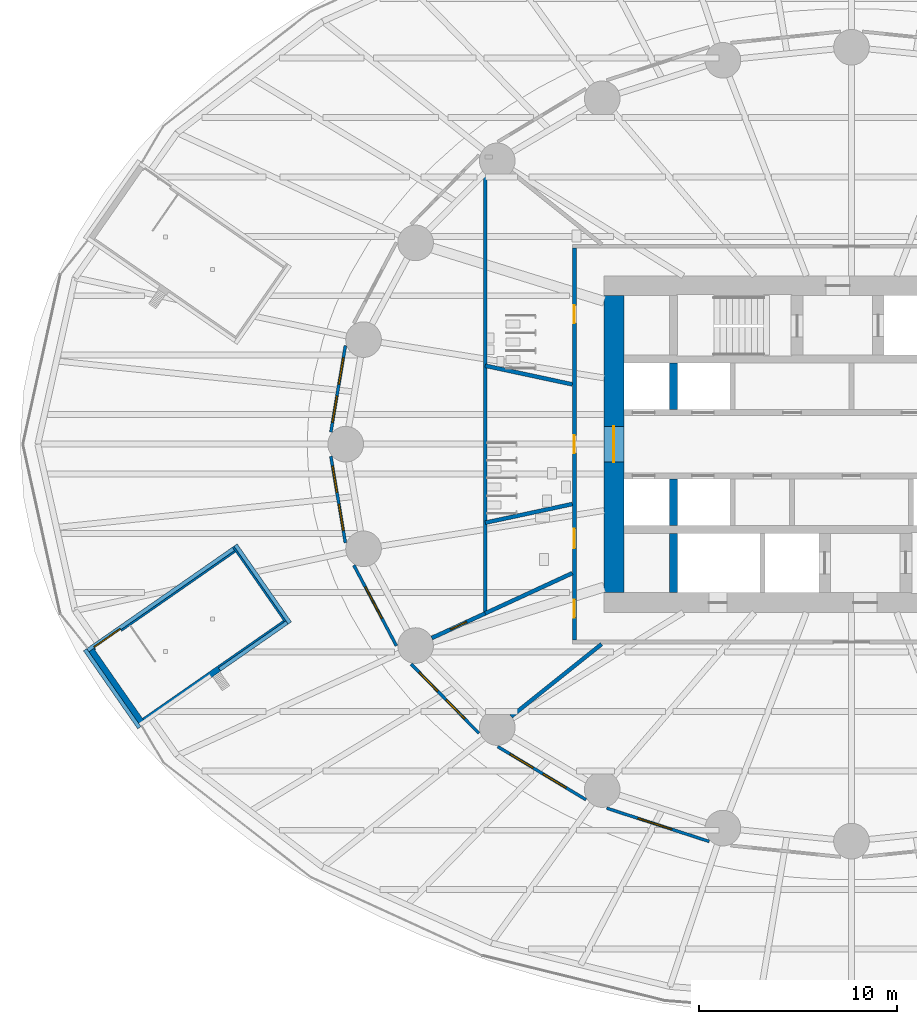
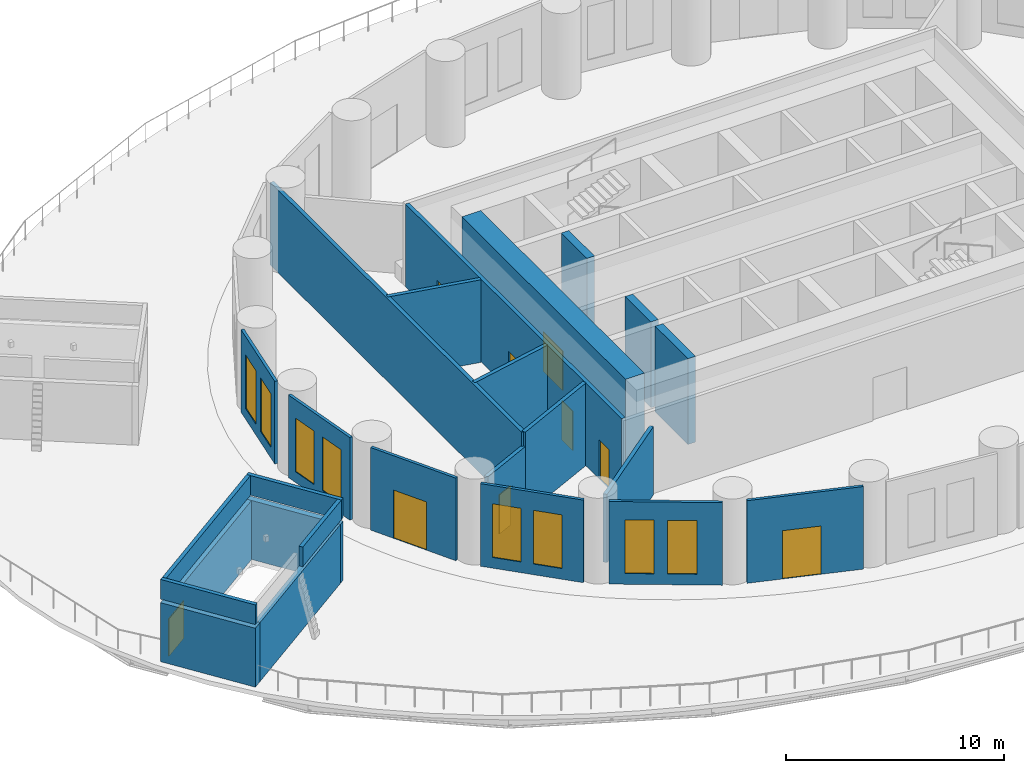
# One storey, part 7 of 17: 25 walls, 9 doors, 8 windows, 17 openings.
"""IFC4 building model written with IfcOpenShell, lengths in metres."""

from ifc_helpers import new_model, si_unit, direction, frame, frame_2d, origin, place, context, subcontext, project, spatial, rectangle, extrude, material, layer, layer_set, type_object, element, fill, save


model = new_model("IFC4")

# Units and contexts
model_context = context("Model", 3, precision=1e-05, world=origin(), true_north=direction((0.0, 1.0)))
body_context = subcontext(model_context, "Body", "Model", "MODEL_VIEW")
ifc_project = project(units=[si_unit("LENGTHUNIT", "METRE"), si_unit("AREAUNIT", "SQUARE_METRE"), si_unit("VOLUMEUNIT", "CUBIC_METRE"), si_unit("PLANEANGLEUNIT", "RADIAN"), si_unit("MASSUNIT", "GRAM", prefix="KILO")], contexts=[model_context])

# Site, building, storey
site_placement = place(None, origin())
site = spatial("IfcSite", under=ifc_project, at=site_placement, CompositionType="ELEMENT")
building_placement = place(site_placement, origin())
building = spatial("IfcBuilding", under=site, at=building_placement, Name="Hankou Lantern Tower", CompositionType="ELEMENT")
storey_placement = place(building_placement, frame((0.0, 0.0, 24.60009765625)))
storey = spatial("IfcBuildingStorey", under=building, at=storey_placement, Name="L04", CompositionType="ELEMENT", Elevation=24.60009765625)

# Wall, opening, door
ifc_material_1 = material(Name="Concrete C60", Category="concrete")
ifc_layer_1 = layer(ifc_material_1, 1.0)
ifc_layer_set_1 = layer_set([ifc_layer_1], Name="Concrete C60")
wall_type_1 = type_object("IfcWallType", Name="CW1 CORE WALL 1000", PredefinedType="SHEAR", material=ifc_layer_set_1)
wall_1_placement = place(storey_placement, frame((-12.0, 7.5, 0.0), z_axis=(0.0, 0.0, 1.0), x_axis=(0.0, -1.0, 0.0)))
wall_1 = element("IfcWall", 1, at=wall_1_placement, inside=storey, type_object=wall_type_1, Name="Core wall west L04", PredefinedType="SHEAR", context=body_context, shape_type="SweptSolid", body=[
    extrude(rectangle(XDim=15.0, YDim=1.0, at=frame_2d((7.5, 0.0))), origin(), (0.0, 0.0, 1.0), 4.7998046875),
])
opening_1_placement = place(wall_1_placement, frame((6.60009765625, 0.0, 0.0)))
opening_1 = element("IfcOpeningElement", 2, at=opening_1_placement, cuts=wall_1, Name="Opening D6", PredefinedType="OPENING", context=body_context, shape_type="SweptSolid", body=[
    extrude(rectangle(XDim=1.800048828125, YDim=2.199951171875, at=frame_2d((0.89990234375, 1.10009765625))), frame((0.0, 0.510009765625, 0.0), z_axis=(0.0, -1.0, 0.0), x_axis=(1.0, 0.0, 0.0)), (0.0, 0.0, 1.0), 1.02001953125),
])
ifc_material_2 = material(Name="Steel door leaf", Category="steel")
door_type_1 = type_object("IfcDoorType", Name="D6 LIFT LOBBY DOOR 1800X2200", OperationType="DOUBLE_DOOR_DOUBLE_SWING", PredefinedType="DOOR", material=ifc_material_2)
door_1_placement = place(opening_1_placement, origin())
door_1 = element("IfcDoor", 3, at=door_1_placement, inside=storey, type_object=door_type_1, Name="Lift lobby west door", OperationType="DOUBLE_DOOR_DOUBLE_SWING", OverallHeight=2.199951171875, OverallWidth=1.800048828125, PredefinedType="DOOR", context=body_context, shape_type="SweptSolid", body=[
    extrude(rectangle(XDim=1.800048828125, YDim=2.199951171875, at=frame_2d((0.89990234375, 1.10009765625))), frame((0.0, 0.02490234375, 0.0), z_axis=(0.0, -1.0, 0.0), x_axis=(1.0, 0.0, 0.0)), (0.0, 0.0, 1.0), 0.050048828125),
])
fill(opening_1, door_1)

# Walls
ifc_material_3 = material(Name="Concrete C60", Category="concrete")
ifc_layer_2 = layer(ifc_material_3, 0.39990234375)
ifc_layer_set_2 = layer_set([ifc_layer_2], Name="Concrete C60")
wall_type_2 = type_object("IfcWallType", Name="CW4 CORE CROSS WALL 400", PredefinedType="SHEAR", material=ifc_layer_set_2)
for number, where, z_axis, x_axis, name in (
    (4, (-9.0, 1.75, 0.0), (0.0, 0.0, 1.0), (0.0, 1.0, 0.0), "Core strip wall L04"),
    (5, (-9.0, -4.10009765625, 0.0), (0.0, 0.0, 1.0), (0.0, 1.0, 0.0), "Core strip wall L04"),
):
    element("IfcWall", number, at=place(storey_placement, frame(where, z_axis=z_axis, x_axis=x_axis)), inside=storey, type_object=wall_type_2, Name=name, PredefinedType="SHEAR", context=body_context, shape_type="SweptSolid", body=[
        extrude(rectangle(XDim=2.35009765625, YDim=0.39990234375, at=frame_2d((1.175048828125, 0.0))), origin(), (0.0, 0.0, 1.0), 4.7998046875),
    ])
wall_2_placement = place(storey_placement, frame((-9.0, -7.5, 0.0), z_axis=(0.0, 0.0, 1.0), x_axis=(0.0, 1.0, 0.0)))
element("IfcWall", 6, at=wall_2_placement, inside=storey, type_object=wall_type_2, Name="Core strip wall L04", PredefinedType="SHEAR", context=body_context, shape_type="SweptSolid", body=[
    extrude(rectangle(XDim=3.0, YDim=0.39990234375, at=frame_2d((1.5, 0.0))), origin(), (0.0, 0.0, 1.0), 4.7998046875),
])

# Wall, opening, door
ifc_material_4 = material(Name="Concrete C50", Category="concrete")
ifc_layer_3 = layer(ifc_material_4, 0.300048828125)
ifc_layer_set_3 = layer_set([ifc_layer_3], Name="Concrete C50")
wall_type_3 = type_object("IfcWallType", Name="CW7 PODIUM STAIR WALL 300", PredefinedType="SHEAR", material=ifc_layer_set_3)
wall_3_placement = place(storey_placement, frame((-38.29931640625, -10.273681640625, 0.0), z_axis=(0.0, 0.0, 1.0), x_axis=(0.820936803751, 0.571019057692, 0.0)))
wall_3 = element("IfcWall", 7, at=wall_3_placement, inside=storey, type_object=wall_type_3, Name="Podium stair P3 wall", PredefinedType="SHEAR", context=body_context, shape_type="SweptSolid", body=[
    extrude(rectangle(XDim=8.66015625, YDim=0.300048828125, at=frame_2d((4.330078125, 0.0))), origin(), (0.0, 0.0, 1.0), 3.2998046875),
])
opening_2_placement = place(wall_3_placement, frame((0.050048828125, 0.0, 0.0)))
opening_2 = element("IfcOpeningElement", 8, at=opening_2_placement, cuts=wall_3, Name="Opening D16", PredefinedType="OPENING", context=body_context, shape_type="SweptSolid", body=[
    extrude(rectangle(XDim=1.60009765625, YDim=2.10009765625, at=frame_2d((0.800048828125, 1.050048828125))), frame((0.0, 0.159912109375, 0.0), z_axis=(0.0, -1.0, 0.0), x_axis=(1.0, 0.0, 0.0)), (0.0, 0.0, 1.0), 0.320068359375),
])
ifc_material_5 = material(Name="Steel door leaf", Category="steel")
door_type_2 = type_object("IfcDoorType", Name="D16 PODIUM STAIR DOOR 1600X2100", OperationType="SINGLE_SWING_LEFT", PredefinedType="DOOR", material=ifc_material_5)
door_2_placement = place(opening_2_placement, origin())
door_2 = element("IfcDoor", 9, at=door_2_placement, inside=storey, type_object=door_type_2, Name="Podium stair P3 door", OperationType="SINGLE_SWING_LEFT", OverallHeight=2.10009765625, OverallWidth=1.60009765625, PredefinedType="DOOR", context=body_context, shape_type="SweptSolid", body=[
    extrude(rectangle(XDim=1.60009765625, YDim=2.10009765625, at=frame_2d((0.800048828125, 1.050048828125))), frame((0.0, 0.02490234375, 0.0), z_axis=(0.0, -1.0, 0.0), x_axis=(1.0, 0.0, 0.0)), (0.0, 0.0, 1.0), 0.050048828125),
])
fill(opening_2, door_2)

# Walls
wall_4_placement = place(storey_placement, frame((-35.7294921875, -13.968017578125, 0.0), z_axis=(0.0, 0.0, 1.0), x_axis=(0.82092761123, 0.571032273274, 0.0)))
element("IfcWall", 10, at=wall_4_placement, inside=storey, type_object=wall_type_3, Name="Podium stair P3 wall", PredefinedType="SHEAR", context=body_context, shape_type="SweptSolid", body=[
    extrude(rectangle(XDim=8.659912109375, YDim=0.300048828125, at=frame_2d((4.330078125, 0.0))), origin(), (0.0, 0.0, 1.0), 3.2998046875),
])
wall_5_placement = place(storey_placement, frame((-31.152587890625, -5.119873046875, 0.0), z_axis=(0.0, 0.0, 1.0), x_axis=(0.571036173178, -0.820924898467, 0.0)))
element("IfcWall", 11, at=wall_5_placement, inside=storey, type_object=wall_type_3, Name="Podium stair P3 wall", PredefinedType="SHEAR", context=body_context, shape_type="SweptSolid", body=[
    extrude(rectangle(XDim=4.800048828125, YDim=0.300048828125, at=frame_2d((2.39990234375, 0.0))), origin(), (0.0, 0.0, 1.0), 3.2998046875),
])

# Wall, openings, windows
ifc_material_6 = material(Name="Aluminium spandrel panel on steel studs", Category="steel")
ifc_layer_4 = layer(ifc_material_6, 0.14990234375)
ifc_layer_set_4 = layer_set([ifc_layer_4], Name="Aluminium spandrel panel on steel studs")
wall_type_4 = type_object("IfcWallType", Name="EW1 INNER SKIN WALL 150", PredefinedType="ELEMENTEDWALL", material=ifc_layer_set_4)
wall_6_placement = place(storey_placement, frame((-25.56396484375, 4.9775390625, 0.0), z_axis=(0.0, 0.0, 1.0), x_axis=(-0.165641751141, -0.986185991727, 0.0)))
wall_6 = element("IfcWall", 12, at=wall_6_placement, inside=storey, type_object=wall_type_4, Name="Inner skin R12-R13 L04", PredefinedType="ELEMENTEDWALL", context=body_context, shape_type="SweptSolid", body=[
    extrude(rectangle(XDim=4.427734375, YDim=0.14990234375, at=frame_2d((2.2138671875, 0.0))), origin(), (0.0, 0.0, 1.0), 4.619873046875),
])
opening_3_placement = place(wall_6_placement, frame((0.627685546875, 0.0, 0.60009765625)))
opening_3 = element("IfcOpeningElement", 13, at=opening_3_placement, cuts=wall_6, Name="Opening W5", PredefinedType="OPENING", context=body_context, shape_type="SweptSolid", body=[
    extrude(rectangle(XDim=1.35009765625, YDim=3.0, at=frame_2d((0.675048828125, 1.5))), frame((0.0, 0.0849609375, 0.0), z_axis=(0.0, -1.0, 0.0), x_axis=(1.0, 0.0, 0.0)), (0.0, 0.0, 1.0), 0.169921875),
])
opening_4_placement = place(wall_6_placement, frame((2.57763671875, 0.0, 0.60009765625)))
opening_4 = element("IfcOpeningElement", 14, at=opening_4_placement, cuts=wall_6, Name="Opening W5", PredefinedType="OPENING", context=body_context, shape_type="SweptSolid", body=[
    extrude(rectangle(XDim=1.35009765625, YDim=3.0, at=frame_2d((0.675048828125, 1.5))), frame((0.0, 0.0849609375, 0.0), z_axis=(0.0, -1.0, 0.0), x_axis=(1.0, 0.0, 0.0)), (0.0, 0.0, 1.0), 0.169921875),
])
ifc_material_7 = material(Name="Aluminium framed double glazed window", Category="aluminium")
window_type = type_object("IfcWindowType", Name="W5 AMENITY WINDOW 1350X3000", PartitioningType="DOUBLE_PANEL_VERTICAL", PredefinedType="WINDOW", material=ifc_material_7)
window_1_placement = place(opening_3_placement, origin())
window_1 = element("IfcWindow", 15, at=window_1_placement, inside=storey, type_object=window_type, Name="Window R12.1 L04", OverallHeight=3.0, OverallWidth=1.35009765625, PartitioningType="SINGLE_PANEL", PredefinedType="WINDOW", context=body_context, shape_type="SweptSolid", body=[
    extrude(rectangle(XDim=1.35009765625, YDim=3.0, at=frame_2d((0.675048828125, 1.5))), frame((0.0, 0.030029296875, 0.0), z_axis=(0.0, -1.0, 0.0), x_axis=(1.0, 0.0, 0.0)), (0.0, 0.0, 1.0), 0.06005859375),
])
fill(opening_3, window_1)
window_2_placement = place(opening_4_placement, origin())
window_2 = element("IfcWindow", 16, at=window_2_placement, inside=storey, type_object=window_type, Name="Window R12.2 L04", OverallHeight=3.0, OverallWidth=1.35009765625, PartitioningType="SINGLE_PANEL", PredefinedType="WINDOW", context=body_context, shape_type="SweptSolid", body=[
    extrude(rectangle(XDim=1.35009765625, YDim=3.0, at=frame_2d((0.675048828125, 1.5))), frame((0.0, 0.030029296875, 0.0), z_axis=(0.0, -1.0, 0.0), x_axis=(1.0, 0.0, 0.0)), (0.0, 0.0, 1.0), 0.06005859375),
])
fill(opening_4, window_2)

wall_7_placement = place(storey_placement, frame((-26.29736328125, -0.611083984375, 0.0), z_axis=(0.0, 0.0, 1.0), x_axis=(0.165641751141, -0.986185991727, 0.0)))
wall_7 = element("IfcWall", 17, at=wall_7_placement, inside=storey, type_object=wall_type_4, Name="Inner skin R13-R14 L04", PredefinedType="ELEMENTEDWALL", context=body_context, shape_type="SweptSolid", body=[
    extrude(rectangle(XDim=4.427734375, YDim=0.14990234375, at=frame_2d((2.2138671875, 0.0))), origin(), (0.0, 0.0, 1.0), 4.619873046875),
])
opening_5_placement = place(wall_7_placement, frame((0.499755859375, 0.0, 0.60009765625)))
opening_5 = element("IfcOpeningElement", 18, at=opening_5_placement, cuts=wall_7, Name="Opening W5", PredefinedType="OPENING", context=body_context, shape_type="SweptSolid", body=[
    extrude(rectangle(XDim=1.35009765625, YDim=3.0, at=frame_2d((0.675048828125, 1.5))), frame((0.0, 0.0849609375, 0.0), z_axis=(0.0, -1.0, 0.0), x_axis=(1.0, 0.0, 0.0)), (0.0, 0.0, 1.0), 0.169921875),
])
opening_6_placement = place(wall_7_placement, frame((2.44970703125, 0.0, 0.60009765625)))
opening_6 = element("IfcOpeningElement", 19, at=opening_6_placement, cuts=wall_7, Name="Opening W5", PredefinedType="OPENING", context=body_context, shape_type="SweptSolid", body=[
    extrude(rectangle(XDim=1.35009765625, YDim=3.0, at=frame_2d((0.675048828125, 1.5))), frame((0.0, 0.0849609375, 0.0), z_axis=(0.0, -1.0, 0.0), x_axis=(1.0, 0.0, 0.0)), (0.0, 0.0, 1.0), 0.169921875),
])
window_3_placement = place(opening_5_placement, origin())
window_3 = element("IfcWindow", 20, at=window_3_placement, inside=storey, type_object=window_type, Name="Window R13.1 L04", OverallHeight=3.0, OverallWidth=1.35009765625, PartitioningType="SINGLE_PANEL", PredefinedType="WINDOW", context=body_context, shape_type="SweptSolid", body=[
    extrude(rectangle(XDim=1.35009765625, YDim=3.0, at=frame_2d((0.675048828125, 1.5))), frame((0.0, 0.030029296875, 0.0), z_axis=(0.0, -1.0, 0.0), x_axis=(1.0, 0.0, 0.0)), (0.0, 0.0, 1.0), 0.06005859375),
])
fill(opening_5, window_3)
window_4_placement = place(opening_6_placement, origin())
window_4 = element("IfcWindow", 21, at=window_4_placement, inside=storey, type_object=window_type, Name="Window R13.2 L04", OverallHeight=3.0, OverallWidth=1.35009765625, PartitioningType="SINGLE_PANEL", PredefinedType="WINDOW", context=body_context, shape_type="SweptSolid", body=[
    extrude(rectangle(XDim=1.35009765625, YDim=3.0, at=frame_2d((0.675048828125, 1.5))), frame((0.0, 0.030029296875, 0.0), z_axis=(0.0, -1.0, 0.0), x_axis=(1.0, 0.0, 0.0)), (0.0, 0.0, 1.0), 0.06005859375),
])
fill(opening_6, window_4)

# Wall, opening, door
wall_8_placement = place(storey_placement, frame((-25.138671875, -6.11279296875, 0.0), z_axis=(0.0, 0.0, 1.0), x_axis=(0.467303182954, -0.884097129959, 0.0)))
wall_8 = element("IfcWall", 22, at=wall_8_placement, inside=storey, type_object=wall_type_4, Name="Inner skin R14-R15 L04", PredefinedType="ELEMENTEDWALL", context=body_context, shape_type="SweptSolid", body=[
    extrude(rectangle(XDim=4.6064453125, YDim=0.14990234375, at=frame_2d((2.30322265625, 0.0))), origin(), (0.0, 0.0, 1.0), 4.619873046875),
])
opening_7_placement = place(wall_8_placement, frame((1.2314453125, 0.0, 0.0)))
opening_7 = element("IfcOpeningElement", 23, at=opening_7_placement, cuts=wall_8, Name="Opening D17", PredefinedType="OPENING", context=body_context, shape_type="SweptSolid", body=[
    extrude(rectangle(XDim=1.800048828125, YDim=2.699951171875, at=frame_2d((0.89990234375, 1.35009765625))), frame((0.0, 0.0849609375, 0.0), z_axis=(0.0, -1.0, 0.0), x_axis=(1.0, 0.0, 0.0)), (0.0, 0.0, 1.0), 0.169921875),
])
ifc_material_8 = material(Name="Aluminium framed glazed door", Category="aluminium")
door_type_3 = type_object("IfcDoorType", Name="D17 TERRACE DOOR 1800X2700", OperationType="DOUBLE_DOOR_DOUBLE_SWING", PredefinedType="DOOR", material=ifc_material_8)
door_3_placement = place(opening_7_placement, origin())
door_3 = element("IfcDoor", 24, at=door_3_placement, inside=storey, type_object=door_type_3, Name="Terrace door R14", OperationType="DOUBLE_DOOR_DOUBLE_SWING", OverallHeight=2.699951171875, OverallWidth=1.800048828125, PredefinedType="DOOR", context=body_context, shape_type="SweptSolid", body=[
    extrude(rectangle(XDim=1.800048828125, YDim=2.699951171875, at=frame_2d((0.89990234375, 1.35009765625))), frame((0.0, 0.02490234375, 0.0), z_axis=(0.0, -1.0, 0.0), x_axis=(1.0, 0.0, 0.0)), (0.0, 0.0, 1.0), 0.050048828125),
])
fill(opening_7, door_3)

# Wall, openings, windows
wall_9_placement = place(storey_placement, frame((-22.23876953125, -11.1083984375, 0.0), z_axis=(0.0, 0.0, 1.0), x_axis=(0.699612594083, -0.714522370679, 0.0)))
wall_9 = element("IfcWall", 25, at=wall_9_placement, inside=storey, type_object=wall_type_4, Name="Inner skin R15-R16 L04", PredefinedType="ELEMENTEDWALL", context=body_context, shape_type="SweptSolid", body=[
    extrude(rectangle(XDim=4.89599609375, YDim=0.14990234375, at=frame_2d((2.447998046875, 0.0))), origin(), (0.0, 0.0, 1.0), 4.619873046875),
])
opening_8_placement = place(wall_9_placement, frame((0.569091796875, 0.0, 0.60009765625)))
opening_8 = element("IfcOpeningElement", 26, at=opening_8_placement, cuts=wall_9, Name="Opening W5", PredefinedType="OPENING", context=body_context, shape_type="SweptSolid", body=[
    extrude(rectangle(XDim=1.35009765625, YDim=3.0, at=frame_2d((0.675048828125, 1.5))), frame((0.0, 0.0849609375, 0.0), z_axis=(0.0, -1.0, 0.0), x_axis=(1.0, 0.0, 0.0)), (0.0, 0.0, 1.0), 0.169921875),
])
opening_9_placement = place(wall_9_placement, frame((2.51904296875, 0.0, 0.60009765625)))
opening_9 = element("IfcOpeningElement", 27, at=opening_9_placement, cuts=wall_9, Name="Opening W5", PredefinedType="OPENING", context=body_context, shape_type="SweptSolid", body=[
    extrude(rectangle(XDim=1.35009765625, YDim=3.0, at=frame_2d((0.675048828125, 1.5))), frame((0.0, 0.0849609375, 0.0), z_axis=(0.0, -1.0, 0.0), x_axis=(1.0, 0.0, 0.0)), (0.0, 0.0, 1.0), 0.169921875),
])
window_5_placement = place(opening_8_placement, origin())
window_5 = element("IfcWindow", 28, at=window_5_placement, inside=storey, type_object=window_type, Name="Window R15.1 L04", OverallHeight=3.0, OverallWidth=1.35009765625, PartitioningType="SINGLE_PANEL", PredefinedType="WINDOW", context=body_context, shape_type="SweptSolid", body=[
    extrude(rectangle(XDim=1.35009765625, YDim=3.0, at=frame_2d((0.675048828125, 1.5))), frame((0.0, 0.030029296875, 0.0), z_axis=(0.0, -1.0, 0.0), x_axis=(1.0, 0.0, 0.0)), (0.0, 0.0, 1.0), 0.06005859375),
])
fill(opening_8, window_5)
window_6_placement = place(opening_9_placement, origin())
window_6 = element("IfcWindow", 29, at=window_6_placement, inside=storey, type_object=window_type, Name="Window R15.2 L04", OverallHeight=3.0, OverallWidth=1.35009765625, PartitioningType="SINGLE_PANEL", PredefinedType="WINDOW", context=body_context, shape_type="SweptSolid", body=[
    extrude(rectangle(XDim=1.35009765625, YDim=3.0, at=frame_2d((0.675048828125, 1.5))), frame((0.0, 0.030029296875, 0.0), z_axis=(0.0, -1.0, 0.0), x_axis=(1.0, 0.0, 0.0)), (0.0, 0.0, 1.0), 0.06005859375),
])
fill(opening_9, window_6)

wall_10_placement = place(storey_placement, frame((-17.869384765625, -15.276611328125, 0.0), z_axis=(0.0, 0.0, 1.0), x_axis=(0.856958191554, -0.515385931054, 0.0)))
wall_10 = element("IfcWall", 30, at=wall_10_placement, inside=storey, type_object=wall_type_4, Name="Inner skin R16-R17 L04", PredefinedType="ELEMENTEDWALL", context=body_context, shape_type="SweptSolid", body=[
    extrude(rectangle(XDim=5.201171875, YDim=0.14990234375, at=frame_2d((2.6005859375, 0.0))), origin(), (0.0, 0.0, 1.0), 4.619873046875),
])
opening_10_placement = place(wall_10_placement, frame((0.726318359375, 0.0, 0.60009765625)))
opening_10 = element("IfcOpeningElement", 31, at=opening_10_placement, cuts=wall_10, Name="Opening W5", PredefinedType="OPENING", context=body_context, shape_type="SweptSolid", body=[
    extrude(rectangle(XDim=1.35009765625, YDim=3.0, at=frame_2d((0.675048828125, 1.5))), frame((0.0, 0.0849609375, 0.0), z_axis=(0.0, -1.0, 0.0), x_axis=(1.0, 0.0, 0.0)), (0.0, 0.0, 1.0), 0.169921875),
])
opening_11_placement = place(wall_10_placement, frame((2.67626953125, 0.0, 0.60009765625)))
opening_11 = element("IfcOpeningElement", 32, at=opening_11_placement, cuts=wall_10, Name="Opening W5", PredefinedType="OPENING", context=body_context, shape_type="SweptSolid", body=[
    extrude(rectangle(XDim=1.35009765625, YDim=3.0, at=frame_2d((0.675048828125, 1.5))), frame((0.0, 0.0849609375, 0.0), z_axis=(0.0, -1.0, 0.0), x_axis=(1.0, 0.0, 0.0)), (0.0, 0.0, 1.0), 0.169921875),
])
window_7_placement = place(opening_10_placement, origin())
window_7 = element("IfcWindow", 33, at=window_7_placement, inside=storey, type_object=window_type, Name="Window R16.1 L04", OverallHeight=3.0, OverallWidth=1.35009765625, PartitioningType="SINGLE_PANEL", PredefinedType="WINDOW", context=body_context, shape_type="SweptSolid", body=[
    extrude(rectangle(XDim=1.35009765625, YDim=3.0, at=frame_2d((0.675048828125, 1.5))), frame((0.0, 0.030029296875, 0.0), z_axis=(0.0, -1.0, 0.0), x_axis=(1.0, 0.0, 0.0)), (0.0, 0.0, 1.0), 0.06005859375),
])
fill(opening_10, window_7)
window_8_placement = place(opening_11_placement, origin())
window_8 = element("IfcWindow", 34, at=window_8_placement, inside=storey, type_object=window_type, Name="Window R16.2 L04", OverallHeight=3.0, OverallWidth=1.35009765625, PartitioningType="SINGLE_PANEL", PredefinedType="WINDOW", context=body_context, shape_type="SweptSolid", body=[
    extrude(rectangle(XDim=1.35009765625, YDim=3.0, at=frame_2d((0.675048828125, 1.5))), frame((0.0, 0.030029296875, 0.0), z_axis=(0.0, -1.0, 0.0), x_axis=(1.0, 0.0, 0.0)), (0.0, 0.0, 1.0), 0.06005859375),
])
fill(opening_11, window_8)

# Wall, opening, door
wall_11_placement = place(storey_placement, frame((-12.3662109375, -18.384033203125, 0.0), z_axis=(0.0, 0.0, 1.0), x_axis=(0.951138486029, -0.308764603532, 0.0)))
wall_11 = element("IfcWall", 35, at=wall_11_placement, inside=storey, type_object=wall_type_4, Name="Inner skin R17-R18 L04", PredefinedType="ELEMENTEDWALL", context=body_context, shape_type="SweptSolid", body=[
    extrude(rectangle(XDim=5.444091796875, YDim=0.14990234375, at=frame_2d((2.72216796875, 0.0))), origin(), (0.0, 0.0, 1.0), 4.619873046875),
])
opening_12_placement = place(wall_11_placement, frame((1.65966796875, 0.0, 0.0)))
opening_12 = element("IfcOpeningElement", 36, at=opening_12_placement, cuts=wall_11, Name="Opening D17", PredefinedType="OPENING", context=body_context, shape_type="SweptSolid", body=[
    extrude(rectangle(XDim=1.800048828125, YDim=2.699951171875, at=frame_2d((0.89990234375, 1.35009765625))), frame((0.0, 0.0849609375, 0.0), z_axis=(0.0, -1.0, 0.0), x_axis=(1.0, 0.0, 0.0)), (0.0, 0.0, 1.0), 0.169921875),
])
door_4_placement = place(opening_12_placement, origin())
door_4 = element("IfcDoor", 37, at=door_4_placement, inside=storey, type_object=door_type_3, Name="Terrace door R17", OperationType="DOUBLE_DOOR_DOUBLE_SWING", OverallHeight=2.699951171875, OverallWidth=1.800048828125, PredefinedType="DOOR", context=body_context, shape_type="SweptSolid", body=[
    extrude(rectangle(XDim=1.800048828125, YDim=2.699951171875, at=frame_2d((0.89990234375, 1.35009765625))), frame((0.0, 0.02490234375, 0.0), z_axis=(0.0, -1.0, 0.0), x_axis=(1.0, 0.0, 0.0)), (0.0, 0.0, 1.0), 0.050048828125),
])
fill(opening_12, door_4)

# Walls
ifc_material_9 = material(Name="Granite cladding on reinforced concrete C50", Category="masonry")
ifc_layer_5 = layer(ifc_material_9, 0.5)
ifc_layer_set_5 = layer_set([ifc_layer_5], Name="Granite cladding on reinforced concrete C50")
wall_type_5 = type_object("IfcWallType", Name="EW2 STONE PORTAL WALL 500", PredefinedType="SOLIDWALL", material=ifc_layer_set_5)
wall_12_placement = place(storey_placement, frame((-38.590087890625, -10.29345703125, 0.0), z_axis=(0.0, 0.0, 1.0), x_axis=(0.571036173178, -0.820924898467, 0.0)))
element("IfcWall", 38, at=wall_12_placement, inside=storey, type_object=wall_type_5, Name="Podium stair P3 head-house", PredefinedType="SOLIDWALL", context=body_context, shape_type="SweptSolid", body=[
    extrude(rectangle(XDim=4.800048828125, YDim=0.5, at=frame_2d((2.39990234375, 0.0))), origin(), (0.0, 0.0, 1.0), 3.2998046875),
])
ifc_material_10 = material(Name="Precast concrete C40 spandrel", Category="concrete")
ifc_layer_6 = layer(ifc_material_10, 0.199951171875)
ifc_layer_set_6 = layer_set([ifc_layer_6], Name="Precast concrete C40 spandrel")
wall_type_6 = type_object("IfcWallType", Name="EW3 SPANDREL WALL 200", PredefinedType="PARAPET", material=ifc_layer_set_6)
wall_13_placement = place(storey_placement, frame((-38.713134765625, -10.379150390625, 3.5), z_axis=(0.0, 0.0, 1.0), x_axis=(0.571036173178, -0.820924898467, 0.0)))
element("IfcWall", 39, at=wall_13_placement, inside=storey, type_object=wall_type_6, Name="Podium stair P3 head-house roof parapet", PredefinedType="PARAPET", context=body_context, shape_type="SweptSolid", body=[
    extrude(rectangle(XDim=4.800048828125, YDim=0.199951171875, at=frame_2d((2.39990234375, 0.0))), origin(), (0.0, 0.0, 1.0), 1.099853515625),
])
wall_14_placement = place(storey_placement, frame((-31.920654296875, -11.37939453125, 3.5), z_axis=(0.0, 0.0, 1.0), x_axis=(0.820931549203, 0.571026611922, 0.0)))
element("IfcWall", 40, at=wall_14_placement, inside=storey, type_object=wall_type_6, Name="Podium stair P3 head-house roof parapet", PredefinedType="PARAPET", context=body_context, shape_type="SweptSolid", body=[
    extrude(rectangle(XDim=4.15478515625, YDim=0.199951171875, at=frame_2d((2.077392578125, 0.0))), origin(), (0.0, 0.0, 1.0), 1.099853515625),
])
wall_15_placement = place(storey_placement, frame((-28.370361328125, -9.03173828125, 3.5), z_axis=(0.0, 0.0, 1.0), x_axis=(-0.571036173178, 0.820924898467, 0.0)))
element("IfcWall", 41, at=wall_15_placement, inside=storey, type_object=wall_type_6, Name="Podium stair P3 head-house roof parapet", PredefinedType="PARAPET", context=body_context, shape_type="SweptSolid", body=[
    extrude(rectangle(XDim=4.800048828125, YDim=0.199951171875, at=frame_2d((2.39990234375, 0.0))), origin(), (0.0, 0.0, 1.0), 1.099853515625),
])
wall_16_placement = place(storey_placement, frame((-31.136474609375, -5.23046875, 3.5), z_axis=(0.0, 0.0, 1.0), x_axis=(-0.820922227988, -0.571040012254, 0.0)))
element("IfcWall", 42, at=wall_16_placement, inside=storey, type_object=wall_type_6, Name="Podium stair P3 head-house roof parapet", PredefinedType="PARAPET", context=body_context, shape_type="SweptSolid", body=[
    extrude(rectangle(XDim=9.059814453125, YDim=0.199951171875, at=frame_2d((4.52978515625, 0.0))), origin(), (0.0, 0.0, 1.0), 1.099853515625),
])

# Wall, openings, doors
ifc_material_11 = material(Name="Masonry lightweight concrete block", Category="masonry")
ifc_layer_7 = layer(ifc_material_11, 0.199951171875)
ifc_layer_set_7 = layer_set([ifc_layer_7], Name="Masonry lightweight concrete block")
wall_type_7 = type_object("IfcWallType", Name="IW2 CORRIDOR WALL 200", PredefinedType="PARTITIONING", material=ifc_layer_set_7)
wall_17_placement = place(storey_placement, frame((-14.0, 9.89990234375, 0.0), z_axis=(0.0, 0.0, 1.0), x_axis=(0.0, -1.0, 0.0)))
wall_17 = element("IfcWall", 43, at=wall_17_placement, inside=storey, type_object=wall_type_7, Name="Corridor wall west", PredefinedType="PARTITIONING", context=body_context, shape_type="SweptSolid", body=[
    extrude(rectangle(XDim=19.7998046875, YDim=0.199951171875, at=frame_2d((9.89990234375, 0.0))), origin(), (0.0, 0.0, 1.0), 4.619873046875),
])
opening_13_placement = place(wall_17_placement, frame((2.888671875, 0.0, 0.0)))
opening_13 = element("IfcOpeningElement", 44, at=opening_13_placement, cuts=wall_17, Name="Opening D10", PredefinedType="OPENING", context=body_context, shape_type="SweptSolid", body=[
    extrude(rectangle(XDim=0.89990234375, YDim=2.10009765625, at=frame_2d((0.449951171875, 1.050048828125))), frame((0.0, 0.10986328125, 0.0), z_axis=(0.0, -1.0, 0.0), x_axis=(1.0, 0.0, 0.0)), (0.0, 0.0, 1.0), 0.219970703125),
])
opening_14_placement = place(wall_17_placement, frame((9.449951171875, 0.0, 0.0)))
opening_14 = element("IfcOpeningElement", 45, at=opening_14_placement, cuts=wall_17, Name="Opening D10", PredefinedType="OPENING", context=body_context, shape_type="SweptSolid", body=[
    extrude(rectangle(XDim=0.89990234375, YDim=2.10009765625, at=frame_2d((0.449951171875, 1.050048828125))), frame((0.0, 0.10986328125, 0.0), z_axis=(0.0, -1.0, 0.0), x_axis=(1.0, 0.0, 0.0)), (0.0, 0.0, 1.0), 0.219970703125),
])
opening_15_placement = place(wall_17_placement, frame((14.16748046875, 0.0, 0.0)))
opening_15 = element("IfcOpeningElement", 46, at=opening_15_placement, cuts=wall_17, Name="Opening D11", PredefinedType="OPENING", context=body_context, shape_type="SweptSolid", body=[
    extrude(rectangle(XDim=1.0, YDim=2.199951171875, at=frame_2d((0.5, 1.10009765625))), frame((0.0, 0.10986328125, 0.0), z_axis=(0.0, -1.0, 0.0), x_axis=(1.0, 0.0, 0.0)), (0.0, 0.0, 1.0), 0.219970703125),
])
opening_16_placement = place(wall_17_placement, frame((17.75634765625, 0.0, 0.0)))
opening_16 = element("IfcOpeningElement", 47, at=opening_16_placement, cuts=wall_17, Name="Opening D12", PredefinedType="OPENING", context=body_context, shape_type="SweptSolid", body=[
    extrude(rectangle(XDim=0.89990234375, YDim=2.199951171875, at=frame_2d((0.449951171875, 1.10009765625))), frame((0.0, 0.10986328125, 0.0), z_axis=(0.0, -1.0, 0.0), x_axis=(1.0, 0.0, 0.0)), (0.0, 0.0, 1.0), 0.219970703125),
])
ifc_material_12 = material(Name="Timber door leaf", Category="wood")
door_type_4 = type_object("IfcDoorType", Name="D10 WC DOOR 900X2100", OperationType="SINGLE_SWING_LEFT", PredefinedType="DOOR", material=ifc_material_12)
door_5_placement = place(opening_13_placement, origin())
door_5 = element("IfcDoor", 48, at=door_5_placement, inside=storey, type_object=door_type_4, Name="Male WC door", OperationType="SINGLE_SWING_LEFT", OverallHeight=2.10009765625, OverallWidth=0.89990234375, PredefinedType="DOOR", context=body_context, shape_type="SweptSolid", body=[
    extrude(rectangle(XDim=0.89990234375, YDim=2.10009765625, at=frame_2d((0.449951171875, 1.050048828125))), frame((0.0, 0.02490234375, 0.0), z_axis=(0.0, -1.0, 0.0), x_axis=(1.0, 0.0, 0.0)), (0.0, 0.0, 1.0), 0.050048828125),
])
fill(opening_13, door_5)
door_6_placement = place(opening_14_placement, origin())
door_6 = element("IfcDoor", 49, at=door_6_placement, inside=storey, type_object=door_type_4, Name="Female WC door", OperationType="SINGLE_SWING_LEFT", OverallHeight=2.10009765625, OverallWidth=0.89990234375, PredefinedType="DOOR", context=body_context, shape_type="SweptSolid", body=[
    extrude(rectangle(XDim=0.89990234375, YDim=2.10009765625, at=frame_2d((0.449951171875, 1.050048828125))), frame((0.0, 0.02490234375, 0.0), z_axis=(0.0, -1.0, 0.0), x_axis=(1.0, 0.0, 0.0)), (0.0, 0.0, 1.0), 0.050048828125),
])
fill(opening_14, door_6)
ifc_material_13 = material(Name="Timber door leaf", Category="wood")
door_type_5 = type_object("IfcDoorType", Name="D11 ACCESSIBLE WC DOOR 1000X2200", OperationType="SLIDING_TO_LEFT", PredefinedType="DOOR", material=ifc_material_13)
door_7_placement = place(opening_15_placement, origin())
door_7 = element("IfcDoor", 50, at=door_7_placement, inside=storey, type_object=door_type_5, Name="Accessible WC door", OperationType="SLIDING_TO_LEFT", OverallHeight=2.199951171875, OverallWidth=1.0, PredefinedType="DOOR", context=body_context, shape_type="SweptSolid", body=[
    extrude(rectangle(XDim=1.0, YDim=2.199951171875, at=frame_2d((0.5, 1.10009765625))), frame((0.0, 0.02490234375, 0.0), z_axis=(0.0, -1.0, 0.0), x_axis=(1.0, 0.0, 0.0)), (0.0, 0.0, 1.0), 0.050048828125),
])
fill(opening_15, door_7)
ifc_material_14 = material(Name="Steel door leaf", Category="steel")
door_type_6 = type_object("IfcDoorType", Name="D12 STORE DOOR 900X2200", OperationType="SINGLE_SWING_LEFT", PredefinedType="DOOR", material=ifc_material_14)
door_8_placement = place(opening_16_placement, origin())
door_8 = element("IfcDoor", 51, at=door_8_placement, inside=storey, type_object=door_type_6, Name="Linen store door", OperationType="SINGLE_SWING_RIGHT", OverallHeight=2.199951171875, OverallWidth=0.89990234375, PredefinedType="DOOR", context=body_context, shape_type="SweptSolid", body=[
    extrude(rectangle(XDim=0.89990234375, YDim=2.199951171875, at=frame_2d((0.449951171875, 1.10009765625))), frame((0.0, 0.02490234375, 0.0), z_axis=(0.0, -1.0, 0.0), x_axis=(1.0, 0.0, 0.0)), (0.0, 0.0, 1.0), 0.050048828125),
])
fill(opening_16, door_8)

# Walls
ifc_material_15 = material(Name="Masonry lightweight concrete block", Category="masonry")
ifc_layer_8 = layer(ifc_material_15, 0.199951171875)
ifc_layer_set_8 = layer_set([ifc_layer_8], Name="Masonry lightweight concrete block")
wall_type_8 = type_object("IfcWallType", Name="IW8 PARTITION 200", PredefinedType="PARTITIONING", material=ifc_layer_set_8)
for number, where, z_axis, x_axis, name in (
    (52, (-14.10009765625, 3.0224609375, 0.0), (0.0, 0.0, 1.0), (-0.977789708591, 0.209588372228, 0.0), "Partition R12"),
    (53, (-14.10009765625, -3.0224609375, 0.0), (0.0, 0.0, 1.0), (-0.977789708591, -0.209588372228, 0.0), "Partition R14"),
):
    element("IfcWall", number, at=place(storey_placement, frame(where, z_axis=z_axis, x_axis=x_axis)), inside=storey, type_object=wall_type_8, Name=name, PredefinedType="PARTITIONING", context=body_context, shape_type="SweptSolid", body=[
        extrude(rectangle(XDim=4.499755859375, YDim=0.199951171875, at=frame_2d((2.25, 0.0))), origin(), (0.0, 0.0, 1.0), 4.619873046875),
    ])
wall_18_placement = place(storey_placement, frame((-14.10009765625, -6.512451171875, 0.0), z_axis=(0.0, 0.0, 1.0), x_axis=(-0.907841399505, -0.419313717095, 0.0)))
element("IfcWall", 54, at=wall_18_placement, inside=storey, type_object=wall_type_8, Name="Partition R15", PredefinedType="PARTITIONING", context=body_context, shape_type="SweptSolid", body=[
    extrude(rectangle(XDim=4.846435546875, YDim=0.199951171875, at=frame_2d((2.42333984375, 0.0))), origin(), (0.0, 0.0, 1.0), 4.619873046875),
])

# Wall, opening, door
wall_19_placement = place(storey_placement, frame((-18.5, -8.544677734375, 0.0), z_axis=(0.0, 0.0, 1.0), x_axis=(-0.90784411614, -0.419307835355, 0.0)))
wall_19 = element("IfcWall", 55, at=wall_19_placement, inside=storey, type_object=wall_type_8, Name="Partition R15", PredefinedType="PARTITIONING", context=body_context, shape_type="SweptSolid", body=[
    extrude(rectangle(XDim=2.9765625, YDim=0.199951171875, at=frame_2d((1.48828125, 0.0))), origin(), (0.0, 0.0, 1.0), 3.81982421875),
])
opening_17_placement = place(wall_19_placement, frame((1.0380859375, 0.0, 0.0)))
opening_17 = element("IfcOpeningElement", 56, at=opening_17_placement, cuts=wall_19, Name="Opening D12", PredefinedType="OPENING", context=body_context, shape_type="SweptSolid", body=[
    extrude(rectangle(XDim=0.89990234375, YDim=2.199951171875, at=frame_2d((0.449951171875, 1.10009765625))), frame((0.0, 0.10986328125, 0.0), z_axis=(0.0, -1.0, 0.0), x_axis=(1.0, 0.0, 0.0)), (0.0, 0.0, 1.0), 0.219970703125),
])
door_9_placement = place(opening_17_placement, origin())
door_9 = element("IfcDoor", 57, at=door_9_placement, inside=storey, type_object=door_type_6, Name="Housekeeping store door", OperationType="SINGLE_SWING_LEFT", OverallHeight=2.199951171875, OverallWidth=0.89990234375, PredefinedType="DOOR", context=body_context, shape_type="SweptSolid", body=[
    extrude(rectangle(XDim=0.89990234375, YDim=2.199951171875, at=frame_2d((0.449951171875, 1.10009765625))), frame((0.0, 0.02490234375, 0.0), z_axis=(0.0, -1.0, 0.0), x_axis=(1.0, 0.0, 0.0)), (0.0, 0.0, 1.0), 0.050048828125),
])
fill(opening_17, door_9)

# Walls
wall_20_placement = place(storey_placement, frame((-12.625, -10.10009765625, 0.0), z_axis=(0.0, 0.0, 1.0), x_axis=(-0.780872884676, -0.624689953479, 0.0)))
element("IfcWall", 58, at=wall_20_placement, inside=storey, type_object=wall_type_8, Name="Partition R16", PredefinedType="PARTITIONING", context=body_context, shape_type="SweptSolid", body=[
    extrude(rectangle(XDim=5.8447265625, YDim=0.199951171875, at=frame_2d((2.92236328125, 0.0))), origin(), (0.0, 0.0, 1.0), 3.81982421875),
])
wall_21_placement = place(storey_placement, frame((-18.5, 14.5, 0.0), z_axis=(0.0, 0.0, 1.0), x_axis=(0.0, -1.0, 0.0)))
element("IfcWall", 59, at=wall_21_placement, inside=storey, type_object=wall_type_8, Name="Partition behind the WCs", PredefinedType="PARTITIONING", context=body_context, shape_type="SweptSolid", body=[
    extrude(rectangle(XDim=23.044677734375, YDim=0.199951171875, at=frame_2d((11.5224609375, 0.0))), origin(), (0.0, 0.0, 1.0), 4.619873046875),
])

save(model, "model.ifc")
